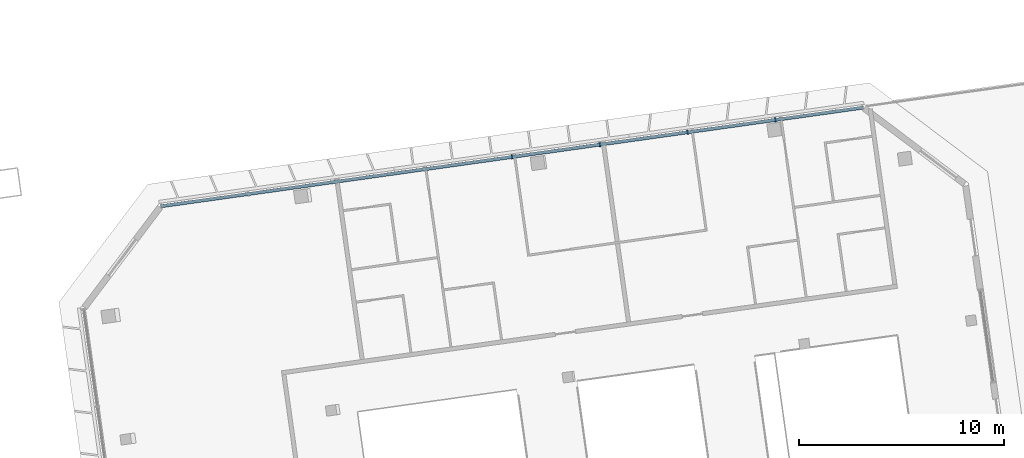
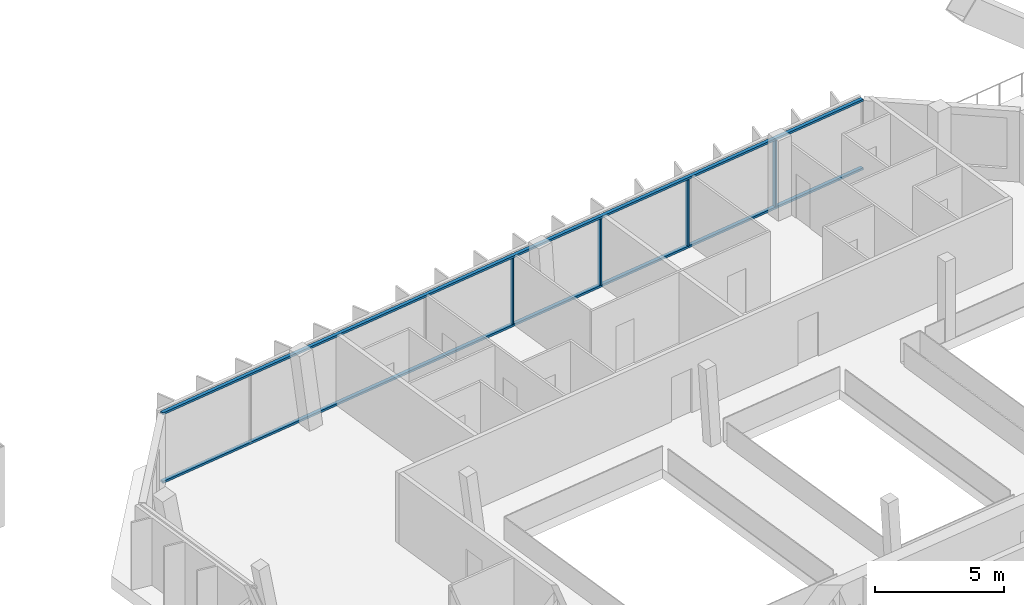
# One storey, part 7 of 19: 6 members, 1 element without a shape of its own.
"""IFC4 building model written with IfcOpenShell, lengths in metres."""

import ifcopenshell
import ifcopenshell.guid

model = None  # the IFC model being written
_history = None  # IfcOwnerHistory: only IFC2X3 demands one
_inside = {}  # id of a spatial element -> (the spatial element, [elements in it])
_under = {}  # id of a project, library or spatial element -> (it, [spatial elements below it])
_declared = {}  # id of a project -> (the project, [libraries it declares])
_typed = {}  # id of a type object -> (the type object, [elements of that type])
_made_of = {}  # id of a material, layer set ... -> (it, [elements and type objects made of it])


def new_model(schema):
    """Start an empty IFC model of exactly this schema.

    Asked for "IFC4X3", IfcOpenShell would pick the latest addendum, in which some entities
    have other attributes; the version numbers below select the first issue.
    IFC2X3 requires an IfcOwnerHistory on every rooted entity: one is made here for all.
    """
    global model, _history
    if schema == "IFC4X3":
        model = ifcopenshell.file(schema_version=(4, 3, 0, 0))
    else:
        model = ifcopenshell.file(schema=schema)
    _inside.clear()
    _under.clear()
    _declared.clear()
    _typed.clear()
    _made_of.clear()
    _history = None
    if model.schema == "IFC2X3":
        org = make("IfcOrganization", Name="unknown")
        user = make(
            "IfcPersonAndOrganization",
            ThePerson=make("IfcPerson", FamilyName="unknown"),
            TheOrganization=org,
        )
        app = make(
            "IfcApplication",
            ApplicationDeveloper=org,
            Version="unknown",
            ApplicationFullName="unknown",
            ApplicationIdentifier="unknown",
        )
        _history = make(
            "IfcOwnerHistory",
            OwningUser=user,
            OwningApplication=app,
            ChangeAction="ADDED",
            CreationDate=0,
        )
    return model


def make(cls, **values):
    """One entity of the class cls with the attributes given. An attribute that is None is left unset."""
    return model.create_entity(
        cls, **{name: value for name, value in values.items() if value is not None}
    )


def rooted(cls, **values):
    """An entity with a GlobalId (a new one), such as an element, a storey or a relation."""
    return make(cls, GlobalId=ifcopenshell.guid.new(), OwnerHistory=_history, **values)


def si_unit(unit_type, name, prefix=None):
    """IfcSIUnit, for example si_unit("LENGTHUNIT", "METRE", prefix="MILLI")."""
    return make("IfcSIUnit", UnitType=unit_type, Prefix=prefix, Name=name)


def assignment(units):
    """IfcUnitAssignment: the units of a project."""
    return None if units is None else make("IfcUnitAssignment", Units=units)


def point(xyz):
    """IfcCartesianPoint."""
    return None if xyz is None else make("IfcCartesianPoint", Coordinates=xyz)


def direction(xyz):
    """IfcDirection."""
    return None if xyz is None else make("IfcDirection", DirectionRatios=xyz)


def frame(location, z_axis=None, x_axis=None):
    """IfcAxis2Placement3D, a coordinate frame: its origin and axes. An axis left out is left unset."""
    return make(
        "IfcAxis2Placement3D",
        Location=point(location),
        Axis=direction(z_axis),
        RefDirection=direction(x_axis),
    )


def frame_2d(location, x_axis=None):
    """IfcAxis2Placement2D, a coordinate frame in the plane: its origin and x axis."""
    return make(
        "IfcAxis2Placement2D", Location=point(location), RefDirection=direction(x_axis)
    )


def origin():
    """The frame at (0, 0, 0) with its axes left unset."""
    return frame((0.0, 0.0, 0.0))


def origin_2d():
    """The frame at (0, 0) in the plane with its x axis left unset."""
    return frame_2d((0.0, 0.0))


def place(relative_to, where):
    """IfcLocalPlacement: puts the frame where relative to a parent placement (None: the world)."""
    return make(
        "IfcLocalPlacement", PlacementRelTo=relative_to, RelativePlacement=where
    )


def context(
    kind, dimensions, precision=None, world=None, true_north=None, identifier=None
):
    """IfcGeometricRepresentationContext, for example the 3D "Model" context."""
    return make(
        "IfcGeometricRepresentationContext",
        ContextIdentifier=identifier,
        ContextType=kind,
        CoordinateSpaceDimension=dimensions,
        Precision=precision,
        WorldCoordinateSystem=world,
        TrueNorth=true_north,
    )


def subcontext(parent, identifier, kind, view, scale=None):
    """IfcGeometricRepresentationSubContext, for example "Body" below "Model"."""
    return make(
        "IfcGeometricRepresentationSubContext",
        ContextIdentifier=identifier,
        ContextType=kind,
        ParentContext=parent,
        TargetScale=scale,
        TargetView=view,
    )


def project(units=None, contexts=None):
    """IfcProject with its units and contexts."""
    return rooted(
        "IfcProject",
        Name="project",
        RepresentationContexts=contexts,
        UnitsInContext=assignment(units),
    )


def spatial(cls, under=None, at=None, **own):
    """A site, building, storey or space (cls), placed at a placement, below another one or the project."""
    s = rooted(cls, ObjectPlacement=at, **own)
    if under is not None:
        _under.setdefault(under.id(), (under, []))[1].append(s)
    return s


def profile(cls, at=None, kind="AREA", **sizes):
    """A parametric profile (cls). Its sizes go by their IFC names, for example OverallWidth=200.0."""
    return make(cls, ProfileType=kind, Position=at, **sizes)


def rectangle(**sizes):
    """IfcRectangleProfileDef."""
    return profile("IfcRectangleProfileDef", **sizes)


def extrude(swept, where, along, depth):
    """IfcExtrudedAreaSolid: the profile swept, set in the frame where, extruded along a direction by depth."""
    return make(
        "IfcExtrudedAreaSolid",
        SweptArea=swept,
        Position=where,
        ExtrudedDirection=direction(along),
        Depth=depth,
    )


def shape(context_of_items, identifier, shape_type, items):
    """IfcShapeRepresentation: the items that make up one representation, for example the "Body"."""
    return make(
        "IfcShapeRepresentation",
        ContextOfItems=context_of_items,
        RepresentationIdentifier=identifier,
        RepresentationType=shape_type,
        Items=items,
    )


def material(Name=None, Category=None):
    """IfcMaterial."""
    return make("IfcMaterial", Name=Name, Category=Category)


def material_profile(
    of_material, cross_section, Name=None, Category=None, Priority=None
):
    """IfcMaterialProfile: a cross section and its material."""
    return make(
        "IfcMaterialProfile",
        Name=Name,
        Material=of_material,
        Profile=cross_section,
        Priority=Priority,
        Category=Category,
    )


def profile_set(profiles, Name=None, composite=None):
    """IfcMaterialProfileSet."""
    return make(
        "IfcMaterialProfileSet",
        Name=Name,
        MaterialProfiles=profiles,
        CompositeProfile=composite,
    )


def made_of(thing, what):
    """Note that an element or type object is made of a material, layer set ...; save() writes the relation."""
    if what is not None:
        _made_of.setdefault(what.id(), (what, []))[1].append(thing)
    return thing


def type_object(cls, material=None, **own):
    """A type object (cls), such as IfcWallType, which elements share."""
    return made_of(rooted(cls, **own), material)


def element(
    cls,
    number,
    at=None,
    inside=None,
    cuts=None,
    type_object=None,
    material=None,
    context=None,
    identifier="Body",
    shape_type=None,
    held_by="IfcProductDefinitionShape",
    body=None,
    shapes=None,
    **own,
):
    """One element of the class cls, such as IfcWall. Its Tag is "e" and its number.

    at: its placement. inside: the storey or other place that contains it. cuts: it is an
    opening in that element (IfcRelVoidsElement). A single representation is given by context,
    identifier, shape_type and body (its items); several are given by shapes. held_by: the class
    of the entity that holds the representations. save() writes the other relations.
    """
    e = rooted(cls, Tag="e%d" % number, ObjectPlacement=at, **own)
    if body is not None:
        shapes = [shape(context, identifier, shape_type, body)]
    if shapes is not None:
        e.Representation = make(held_by, Representations=shapes)
    if inside is not None:
        _inside.setdefault(inside.id(), (inside, []))[1].append(e)
    if cuts is not None:
        rooted(
            "IfcRelVoidsElement", RelatingBuildingElement=cuts, RelatedOpeningElement=e
        )
    if type_object is not None:
        _typed.setdefault(type_object.id(), (type_object, []))[1].append(e)
    return made_of(e, material)


def aggregate(whole, parts):
    """IfcRelAggregates: a whole, such as a stair, and the parts it consists of."""
    return rooted("IfcRelAggregates", RelatingObject=whole, RelatedObjects=parts)


def save(model, path):
    """Write the relations noted so far, then the file.

    IfcRelAggregates (storeys below a building ...), IfcRelContainedInSpatialStructure (elements
    in a storey), IfcRelDefinesByType, IfcRelAssociatesMaterial and IfcRelDeclares: one each for
    every whole, place, type object, material and project.
    """
    for whole, parts in _under.values():
        aggregate(whole, parts)
    for where, things in _inside.values():
        rooted(
            "IfcRelContainedInSpatialStructure",
            RelatedElements=things,
            RelatingStructure=where,
        )
    for kind, things in _typed.values():
        rooted("IfcRelDefinesByType", RelatedObjects=things, RelatingType=kind)
    for what, things in _made_of.values():
        rooted("IfcRelAssociatesMaterial", RelatedObjects=things, RelatingMaterial=what)
    for by, libraries in _declared.values():
        rooted("IfcRelDeclares", RelatingContext=by, RelatedDefinitions=libraries)
    model.write(path)


model = new_model("IFC4")

# Units and contexts
model_context = context("Model", 3, precision=1e-05, world=origin(), true_north=direction((0.0, 1.0)))
body_context = subcontext(model_context, "Body", "Model", "MODEL_VIEW")
ifc_project = project(units=[si_unit("LENGTHUNIT", "METRE"), si_unit("AREAUNIT", "SQUARE_METRE"), si_unit("VOLUMEUNIT", "CUBIC_METRE"), si_unit("PLANEANGLEUNIT", "RADIAN"), si_unit("MASSUNIT", "GRAM", prefix="KILO")], contexts=[model_context])

# Site, building, storey
site_placement = place(None, origin())
site = spatial("IfcSite", under=ifc_project, at=site_placement, CompositionType="ELEMENT")
building_placement = place(site_placement, origin())
building = spatial("IfcBuilding", under=site, at=building_placement, Name="Mirante Cascada Hotel Towers", CompositionType="ELEMENT")
storey_placement = place(building_placement, frame((0.0, 0.0, 231.8)))
storey = spatial("IfcBuildingStorey", under=building, at=storey_placement, Name="L55", CompositionType="ELEMENT", Elevation=231.8)

# Curtain wall, members
ifc_material_1 = material(Name="Aluminium mullion and transom frame with clear laminated glass", Category="aluminium")
curtain_wall_type = type_object("IfcCurtainWallType", Name="Ribbon curtain wall ECW1", PredefinedType="NOTDEFINED", material=ifc_material_1)
curtain_wall_placement = place(storey_placement, origin())
curtain_wall = element("IfcCurtainWall", 1, at=curtain_wall_placement, inside=storey, type_object=curtain_wall_type, Name="Front ribbon wall T2 L55", PredefinedType="NOTDEFINED")
ifc_material_2 = material(Name="Anodised aluminium extrusion", Category="aluminium")
ifc_material_profile_1 = material_profile(ifc_material_2, rectangle(XDim=0.2, YDim=0.065, at=origin_2d()), Name="ECW1 MULLION 65x200")
ifc_profile_set_1 = profile_set([ifc_material_profile_1], Name="Anodised aluminium extrusion")
member_type_1 = type_object("IfcMemberType", Name="ECW1 mullion 65x200", PredefinedType="MULLION", material=ifc_profile_set_1)
member_1_placement = place(storey_placement, frame((54.2336, 20.4411, 0.1), z_axis=(0.0, 0.0, 1.0), x_axis=(0.1391731, -0.9902681, 0.0)))
member_1 = element("IfcMember", 2, at=member_1_placement, type_object=member_type_1, Name="ECW1 mullion 2", PredefinedType="MULLION", context=body_context, shape_type="SweptSolid", body=[
    extrude(rectangle(XDim=0.2, YDim=0.065, at=origin_2d()), origin(), (0.0, 0.0, 1.0), 3.15),
])
member_2_placement = place(storey_placement, frame((49.9587, 19.8403, 0.1), z_axis=(0.0, 0.0, 1.0), x_axis=(0.1391731, -0.9902681, 0.0)))
member_2 = element("IfcMember", 3, at=member_2_placement, type_object=member_type_1, Name="ECW1 mullion 3", PredefinedType="MULLION", context=body_context, shape_type="SweptSolid", body=[
    extrude(rectangle(XDim=0.2, YDim=0.065, at=origin_2d()), origin(), (0.0, 0.0, 1.0), 3.15),
])
member_3_placement = place(storey_placement, frame((45.6838, 19.2395, 0.1), z_axis=(0.0, 0.0, 1.0), x_axis=(0.1391731, -0.9902681, 0.0)))
member_3 = element("IfcMember", 4, at=member_3_placement, type_object=member_type_1, Name="ECW1 mullion 4", PredefinedType="MULLION", context=body_context, shape_type="SweptSolid", body=[
    extrude(rectangle(XDim=0.2, YDim=0.065, at=origin_2d()), origin(), (0.0, 0.0, 1.0), 3.15),
])
member_4_placement = place(storey_placement, frame((41.4088, 18.6387, 0.1), z_axis=(0.0, 0.0, 1.0), x_axis=(0.1391731, -0.9902681, 0.0)))
member_4 = element("IfcMember", 5, at=member_4_placement, type_object=member_type_1, Name="ECW1 mullion 5", PredefinedType="MULLION", context=body_context, shape_type="SweptSolid", body=[
    extrude(rectangle(XDim=0.2, YDim=0.065, at=origin_2d()), origin(), (0.0, 0.0, 1.0), 3.15),
])
ifc_material_3 = material(Name="Anodised aluminium extrusion", Category="aluminium")
ifc_material_profile_2 = material_profile(ifc_material_3, rectangle(XDim=0.16, YDim=0.1, at=origin_2d()), Name="ECW1 TRANSOM 100x160")
ifc_profile_set_2 = profile_set([ifc_material_profile_2], Name="Anodised aluminium extrusion")
member_type_2 = type_object("IfcMemberType", Name="ECW1 transom 100x160", PredefinedType="USERDEFINED", material=ifc_profile_set_2)
member_5_placement = place(storey_placement, frame((58.5085, 21.0419, 0.05), z_axis=(-0.9902681, -0.1391732, 0.0), x_axis=(0.1391732, -0.9902681, 0.0)))
member_5 = element("IfcMember", 6, at=member_5_placement, type_object=member_type_2, Name="ECW1 sill transom", ObjectType="TRANSOM", PredefinedType="USERDEFINED", context=body_context, shape_type="SweptSolid", body=[
    extrude(rectangle(XDim=0.16, YDim=0.1, at=origin_2d()), origin(), (0.0, 0.0, 1.0), 34.5354),
])
member_6_placement = place(storey_placement, frame((58.5085, 21.0419, 3.3), z_axis=(-0.9902681, -0.1391732, 0.0), x_axis=(0.1391732, -0.9902681, 0.0)))
member_6 = element("IfcMember", 7, at=member_6_placement, type_object=member_type_2, Name="ECW1 head transom", ObjectType="TRANSOM", PredefinedType="USERDEFINED", context=body_context, shape_type="SweptSolid", body=[
    extrude(rectangle(XDim=0.16, YDim=0.1, at=origin_2d()), origin(), (0.0, 0.0, 1.0), 34.5354),
])
aggregate(curtain_wall, [member_5, member_6, member_1, member_2, member_3, member_4])

save(model, "model.ifc")
